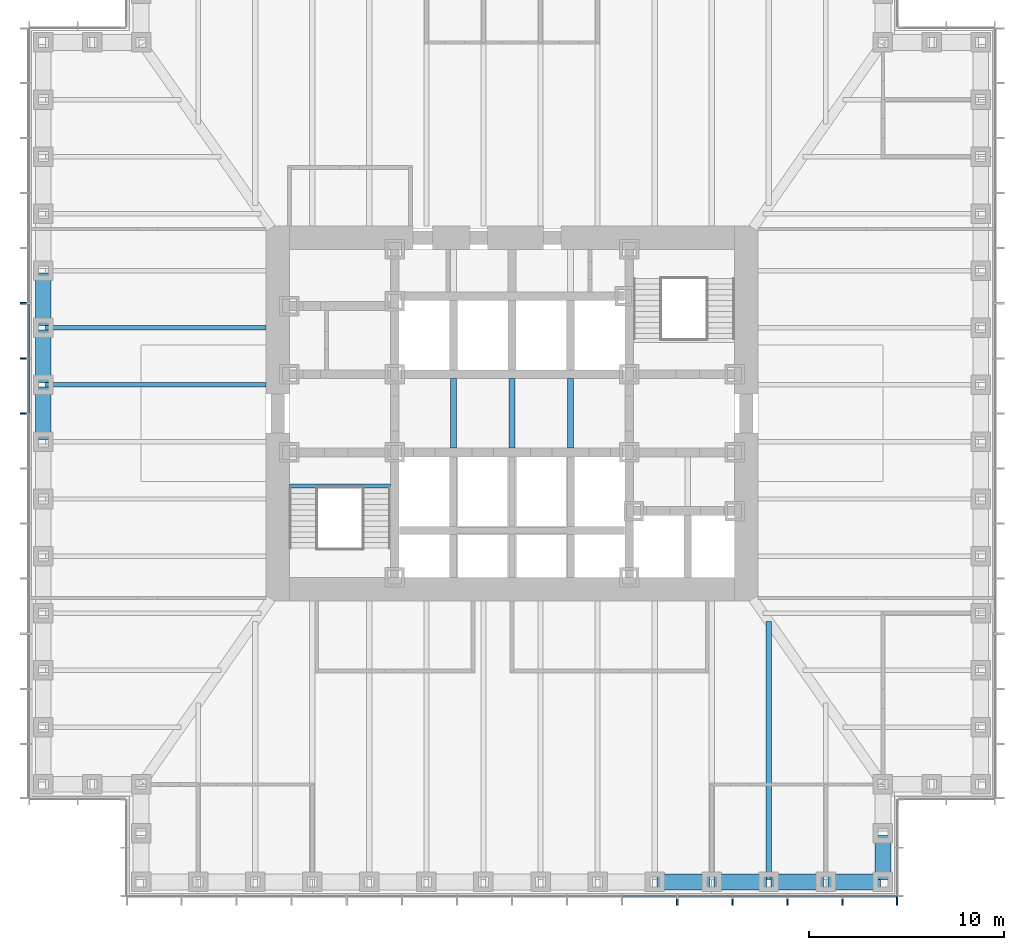
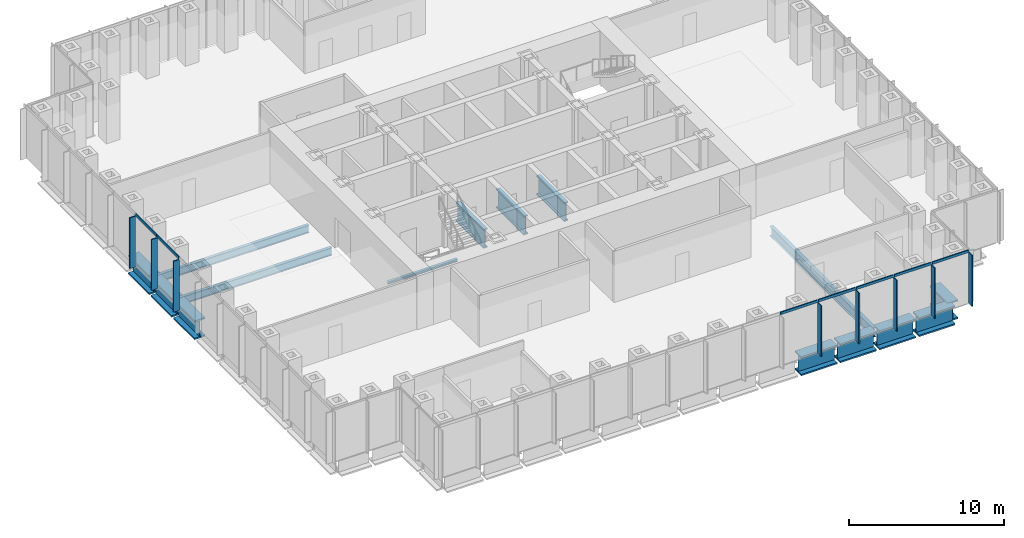
# One storey, part 3 of 16: 15 beams, 15 members, 2 elements without a shape of their own.
"""IFC4 building model written with IfcOpenShell, lengths in metres."""

import ifcopenshell
import ifcopenshell.guid

model = None  # the IFC model being written
_history = None  # IfcOwnerHistory: only IFC2X3 demands one
_inside = {}  # id of a spatial element -> (the spatial element, [elements in it])
_under = {}  # id of a project, library or spatial element -> (it, [spatial elements below it])
_declared = {}  # id of a project -> (the project, [libraries it declares])
_typed = {}  # id of a type object -> (the type object, [elements of that type])
_made_of = {}  # id of a material, layer set ... -> (it, [elements and type objects made of it])


def new_model(schema):
    """Start an empty IFC model of exactly this schema.

    Asked for "IFC4X3", IfcOpenShell would pick the latest addendum, in which some entities
    have other attributes; the version numbers below select the first issue.
    IFC2X3 requires an IfcOwnerHistory on every rooted entity: one is made here for all.
    """
    global model, _history
    if schema == "IFC4X3":
        model = ifcopenshell.file(schema_version=(4, 3, 0, 0))
    else:
        model = ifcopenshell.file(schema=schema)
    _inside.clear()
    _under.clear()
    _declared.clear()
    _typed.clear()
    _made_of.clear()
    _history = None
    if model.schema == "IFC2X3":
        org = make("IfcOrganization", Name="unknown")
        user = make(
            "IfcPersonAndOrganization",
            ThePerson=make("IfcPerson", FamilyName="unknown"),
            TheOrganization=org,
        )
        app = make(
            "IfcApplication",
            ApplicationDeveloper=org,
            Version="unknown",
            ApplicationFullName="unknown",
            ApplicationIdentifier="unknown",
        )
        _history = make(
            "IfcOwnerHistory",
            OwningUser=user,
            OwningApplication=app,
            ChangeAction="ADDED",
            CreationDate=0,
        )
    return model


def make(cls, **values):
    """One entity of the class cls with the attributes given. An attribute that is None is left unset."""
    return model.create_entity(
        cls, **{name: value for name, value in values.items() if value is not None}
    )


def rooted(cls, **values):
    """An entity with a GlobalId (a new one), such as an element, a storey or a relation."""
    return make(cls, GlobalId=ifcopenshell.guid.new(), OwnerHistory=_history, **values)


def si_unit(unit_type, name, prefix=None):
    """IfcSIUnit, for example si_unit("LENGTHUNIT", "METRE", prefix="MILLI")."""
    return make("IfcSIUnit", UnitType=unit_type, Prefix=prefix, Name=name)


def assignment(units):
    """IfcUnitAssignment: the units of a project."""
    return None if units is None else make("IfcUnitAssignment", Units=units)


def point(xyz):
    """IfcCartesianPoint."""
    return None if xyz is None else make("IfcCartesianPoint", Coordinates=xyz)


def direction(xyz):
    """IfcDirection."""
    return None if xyz is None else make("IfcDirection", DirectionRatios=xyz)


def frame(location, z_axis=None, x_axis=None):
    """IfcAxis2Placement3D, a coordinate frame: its origin and axes. An axis left out is left unset."""
    return make(
        "IfcAxis2Placement3D",
        Location=point(location),
        Axis=direction(z_axis),
        RefDirection=direction(x_axis),
    )


def frame_2d(location, x_axis=None):
    """IfcAxis2Placement2D, a coordinate frame in the plane: its origin and x axis."""
    return make(
        "IfcAxis2Placement2D", Location=point(location), RefDirection=direction(x_axis)
    )


def origin():
    """The frame at (0, 0, 0) with its axes left unset."""
    return frame((0.0, 0.0, 0.0))


def origin_2d():
    """The frame at (0, 0) in the plane with its x axis left unset."""
    return frame_2d((0.0, 0.0))


def place(relative_to, where):
    """IfcLocalPlacement: puts the frame where relative to a parent placement (None: the world)."""
    return make(
        "IfcLocalPlacement", PlacementRelTo=relative_to, RelativePlacement=where
    )


def context(
    kind, dimensions, precision=None, world=None, true_north=None, identifier=None
):
    """IfcGeometricRepresentationContext, for example the 3D "Model" context."""
    return make(
        "IfcGeometricRepresentationContext",
        ContextIdentifier=identifier,
        ContextType=kind,
        CoordinateSpaceDimension=dimensions,
        Precision=precision,
        WorldCoordinateSystem=world,
        TrueNorth=true_north,
    )


def subcontext(parent, identifier, kind, view, scale=None):
    """IfcGeometricRepresentationSubContext, for example "Body" below "Model"."""
    return make(
        "IfcGeometricRepresentationSubContext",
        ContextIdentifier=identifier,
        ContextType=kind,
        ParentContext=parent,
        TargetScale=scale,
        TargetView=view,
    )


def project(units=None, contexts=None):
    """IfcProject with its units and contexts."""
    return rooted(
        "IfcProject",
        Name="project",
        RepresentationContexts=contexts,
        UnitsInContext=assignment(units),
    )


def spatial(cls, under=None, at=None, **own):
    """A site, building, storey or space (cls), placed at a placement, below another one or the project."""
    s = rooted(cls, ObjectPlacement=at, **own)
    if under is not None:
        _under.setdefault(under.id(), (under, []))[1].append(s)
    return s


def profile(cls, at=None, kind="AREA", **sizes):
    """A parametric profile (cls). Its sizes go by their IFC names, for example OverallWidth=200.0."""
    return make(cls, ProfileType=kind, Position=at, **sizes)


def rectangle(**sizes):
    """IfcRectangleProfileDef."""
    return profile("IfcRectangleProfileDef", **sizes)


def i_section(**sizes):
    """IfcIShapeProfileDef."""
    return profile("IfcIShapeProfileDef", **sizes)


def extrude(swept, where, along, depth):
    """IfcExtrudedAreaSolid: the profile swept, set in the frame where, extruded along a direction by depth."""
    return make(
        "IfcExtrudedAreaSolid",
        SweptArea=swept,
        Position=where,
        ExtrudedDirection=direction(along),
        Depth=depth,
    )


def shape(context_of_items, identifier, shape_type, items):
    """IfcShapeRepresentation: the items that make up one representation, for example the "Body"."""
    return make(
        "IfcShapeRepresentation",
        ContextOfItems=context_of_items,
        RepresentationIdentifier=identifier,
        RepresentationType=shape_type,
        Items=items,
    )


def material(Name=None, Category=None):
    """IfcMaterial."""
    return make("IfcMaterial", Name=Name, Category=Category)


def material_profile(
    of_material, cross_section, Name=None, Category=None, Priority=None
):
    """IfcMaterialProfile: a cross section and its material."""
    return make(
        "IfcMaterialProfile",
        Name=Name,
        Material=of_material,
        Profile=cross_section,
        Priority=Priority,
        Category=Category,
    )


def profile_set(profiles, Name=None, composite=None):
    """IfcMaterialProfileSet."""
    return make(
        "IfcMaterialProfileSet",
        Name=Name,
        MaterialProfiles=profiles,
        CompositeProfile=composite,
    )


def made_of(thing, what):
    """Note that an element or type object is made of a material, layer set ...; save() writes the relation."""
    if what is not None:
        _made_of.setdefault(what.id(), (what, []))[1].append(thing)
    return thing


def type_object(cls, material=None, **own):
    """A type object (cls), such as IfcWallType, which elements share."""
    return made_of(rooted(cls, **own), material)


def element(
    cls,
    number,
    at=None,
    inside=None,
    cuts=None,
    type_object=None,
    material=None,
    context=None,
    identifier="Body",
    shape_type=None,
    held_by="IfcProductDefinitionShape",
    body=None,
    shapes=None,
    **own,
):
    """One element of the class cls, such as IfcWall. Its Tag is "e" and its number.

    at: its placement. inside: the storey or other place that contains it. cuts: it is an
    opening in that element (IfcRelVoidsElement). A single representation is given by context,
    identifier, shape_type and body (its items); several are given by shapes. held_by: the class
    of the entity that holds the representations. save() writes the other relations.
    """
    e = rooted(cls, Tag="e%d" % number, ObjectPlacement=at, **own)
    if body is not None:
        shapes = [shape(context, identifier, shape_type, body)]
    if shapes is not None:
        e.Representation = make(held_by, Representations=shapes)
    if inside is not None:
        _inside.setdefault(inside.id(), (inside, []))[1].append(e)
    if cuts is not None:
        rooted(
            "IfcRelVoidsElement", RelatingBuildingElement=cuts, RelatedOpeningElement=e
        )
    if type_object is not None:
        _typed.setdefault(type_object.id(), (type_object, []))[1].append(e)
    return made_of(e, material)


def aggregate(whole, parts):
    """IfcRelAggregates: a whole, such as a stair, and the parts it consists of."""
    return rooted("IfcRelAggregates", RelatingObject=whole, RelatedObjects=parts)


def save(model, path):
    """Write the relations noted so far, then the file.

    IfcRelAggregates (storeys below a building ...), IfcRelContainedInSpatialStructure (elements
    in a storey), IfcRelDefinesByType, IfcRelAssociatesMaterial and IfcRelDeclares: one each for
    every whole, place, type object, material and project.
    """
    for whole, parts in _under.values():
        aggregate(whole, parts)
    for where, things in _inside.values():
        rooted(
            "IfcRelContainedInSpatialStructure",
            RelatedElements=things,
            RelatingStructure=where,
        )
    for kind, things in _typed.values():
        rooted("IfcRelDefinesByType", RelatedObjects=things, RelatingType=kind)
    for what, things in _made_of.values():
        rooted("IfcRelAssociatesMaterial", RelatedObjects=things, RelatingMaterial=what)
    for by, libraries in _declared.values():
        rooted("IfcRelDeclares", RelatingContext=by, RelatedDefinitions=libraries)
    model.write(path)


model = new_model("IFC4")

# Units and contexts
model_context = context("Model", 3, precision=1e-05, world=origin(), true_north=direction((0.0, 1.0)))
body_context = subcontext(model_context, "Body", "Model", "MODEL_VIEW")
ifc_project = project(units=[si_unit("LENGTHUNIT", "METRE"), si_unit("AREAUNIT", "SQUARE_METRE"), si_unit("VOLUMEUNIT", "CUBIC_METRE"), si_unit("PLANEANGLEUNIT", "RADIAN"), si_unit("MASSUNIT", "GRAM", prefix="KILO")], contexts=[model_context])

# Site, building, storey
site_placement = place(None, origin())
site = spatial("IfcSite", under=ifc_project, at=site_placement, CompositionType="ELEMENT")
building_placement = place(site_placement, origin())
building = spatial("IfcBuilding", under=site, at=building_placement, Name="Daluyong Arena Tower", CompositionType="ELEMENT")
storey_placement = place(building_placement, frame((0.0, 0.0, 47.5)))
storey = spatial("IfcBuildingStorey", under=building, at=storey_placement, Name="L09", CompositionType="ELEMENT", Elevation=47.5)

# Curtain wall, members
ifc_material_1 = material(Name="Bronze anodised aluminium and glass", Category="aluminium")
curtain_wall_type = type_object("IfcCurtainWallType", Name="Curtain wall CW1", PredefinedType="USERDEFINED", material=ifc_material_1)
curtain_wall_1_placement = place(storey_placement, origin())
curtain_wall_1 = element("IfcCurtainWall", 1, at=curtain_wall_1_placement, inside=storey, type_object=curtain_wall_type, Name="curtain wall L09 S", ObjectType="UNITISED CURTAIN WALL", PredefinedType="USERDEFINED")
ifc_material_2 = material(Name="Bronze anodised aluminium fin", Category="aluminium")
ifc_material_profile_1 = material_profile(ifc_material_2, rectangle(XDim=0.449951171875, YDim=0.080078125, at=origin_2d()))
ifc_profile_set_1 = profile_set([ifc_material_profile_1], Name="Bronze anodised aluminium fin")
member_type_1 = type_object("IfcMemberType", Name="CW1 bronze fin 450x80", PredefinedType="MULLION", material=ifc_profile_set_1)
member_1_placement = place(storey_placement, frame((64.46435546875, 55.02490234375, 0.0), z_axis=(0.0, 0.0, 1.0), x_axis=(0.0, 1.0, 0.0)))
member_1 = element("IfcMember", 2, at=member_1_placement, type_object=member_type_1, Name="curtain wall L09 S fin 11", PredefinedType="MULLION", context=body_context, shape_type="SweptSolid", body=[
    extrude(rectangle(XDim=0.449951171875, YDim=0.080078125, at=origin_2d()), origin(), (0.0, 0.0, 1.0), 4.0),
])
member_2_placement = place(storey_placement, frame((67.28564453125, 55.02490234375, 0.0), z_axis=(0.0, 0.0, 1.0), x_axis=(0.0, 1.0, 0.0)))
member_2 = element("IfcMember", 3, at=member_2_placement, type_object=member_type_1, Name="curtain wall L09 S fin 12", PredefinedType="MULLION", context=body_context, shape_type="SweptSolid", body=[
    extrude(rectangle(XDim=0.449951171875, YDim=0.080078125, at=origin_2d()), origin(), (0.0, 0.0, 1.0), 4.0),
])
member_3_placement = place(storey_placement, frame((70.107177734375, 55.02490234375, 0.0), z_axis=(0.0, 0.0, 1.0), x_axis=(0.0, 1.0, 0.0)))
member_3 = element("IfcMember", 4, at=member_3_placement, type_object=member_type_1, Name="curtain wall L09 S fin 13", PredefinedType="MULLION", context=body_context, shape_type="SweptSolid", body=[
    extrude(rectangle(XDim=0.449951171875, YDim=0.080078125, at=origin_2d()), origin(), (0.0, 0.0, 1.0), 4.0),
])
member_4_placement = place(storey_placement, frame((72.928466796875, 55.02490234375, 0.0), z_axis=(0.0, 0.0, 1.0), x_axis=(0.0, 1.0, 0.0)))
member_4 = element("IfcMember", 5, at=member_4_placement, type_object=member_type_1, Name="curtain wall L09 S fin 14", PredefinedType="MULLION", context=body_context, shape_type="SweptSolid", body=[
    extrude(rectangle(XDim=0.449951171875, YDim=0.080078125, at=origin_2d()), origin(), (0.0, 0.0, 1.0), 4.0),
])
member_5_placement = place(storey_placement, frame((75.7099609375, 55.02490234375, 0.0), z_axis=(0.0, 0.0, 1.0), x_axis=(0.0, 1.0, 0.0)))
member_5 = element("IfcMember", 6, at=member_5_placement, type_object=member_type_1, Name="curtain wall L09 S fin 15", PredefinedType="MULLION", context=body_context, shape_type="SweptSolid", body=[
    extrude(rectangle(XDim=0.449951171875, YDim=0.080078125, at=origin_2d()), origin(), (0.0, 0.0, 1.0), 4.0),
])

curtain_wall_2_placement = place(storey_placement, origin())
curtain_wall_2 = element("IfcCurtainWall", 7, at=curtain_wall_2_placement, inside=storey, type_object=curtain_wall_type, Name="curtain wall L09 W", ObjectType="UNITISED CURTAIN WALL", PredefinedType="USERDEFINED")
member_6_placement = place(storey_placement, frame((31.02490234375, 85.642822265625, 0.0), z_axis=(0.0, 0.0, 1.0), x_axis=(1.0, 0.0, 0.0)))
member_6 = element("IfcMember", 8, at=member_6_placement, type_object=member_type_1, Name="curtain wall L09 W fin 6", PredefinedType="MULLION", context=body_context, shape_type="SweptSolid", body=[
    extrude(rectangle(XDim=0.449951171875, YDim=0.080078125, at=origin_2d()), origin(), (0.0, 0.0, 1.0), 4.0),
])
member_7_placement = place(storey_placement, frame((31.02490234375, 82.821533203125, 0.0), z_axis=(0.0, 0.0, 1.0), x_axis=(1.0, 0.0, 0.0)))
member_7 = element("IfcMember", 9, at=member_7_placement, type_object=member_type_1, Name="curtain wall L09 W fin 7", PredefinedType="MULLION", context=body_context, shape_type="SweptSolid", body=[
    extrude(rectangle(XDim=0.449951171875, YDim=0.080078125, at=origin_2d()), origin(), (0.0, 0.0, 1.0), 4.0),
])
member_8_placement = place(storey_placement, frame((31.02490234375, 80.0, 0.0), z_axis=(0.0, 0.0, 1.0), x_axis=(1.0, 0.0, 0.0)))
member_8 = element("IfcMember", 10, at=member_8_placement, type_object=member_type_1, Name="curtain wall L09 W fin 8", PredefinedType="MULLION", context=body_context, shape_type="SweptSolid", body=[
    extrude(rectangle(XDim=0.449951171875, YDim=0.080078125, at=origin_2d()), origin(), (0.0, 0.0, 1.0), 4.0),
])

# Member
ifc_material_3 = material(Name="Bronze anodised aluminium", Category="aluminium")
ifc_material_profile_2 = material_profile(ifc_material_3, rectangle(XDim=0.080078125, YDim=0.199951171875, at=origin_2d()))
ifc_profile_set_2 = profile_set([ifc_material_profile_2], Name="Bronze anodised aluminium")
member_type_2 = type_object("IfcMemberType", Name="CW1 stack transom 200x80", PredefinedType="USERDEFINED", material=ifc_profile_set_2)
member_9_placement = place(storey_placement, frame((61.682861328125, 55.25, 4.10009765625), z_axis=(1.0, 0.0, 0.0), x_axis=(0.0, 1.0, 0.0)))
member_9 = element("IfcMember", 11, at=member_9_placement, type_object=member_type_2, Name="curtain wall L09 S transom 10", ObjectType="TRANSOM", PredefinedType="USERDEFINED", context=body_context, shape_type="SweptSolid", body=[
    extrude(rectangle(XDim=0.080078125, YDim=0.199951171875, at=origin_2d()), origin(), (0.0, 0.0, 1.0), 2.741455078125),
])

member_10_placement = place(storey_placement, frame((64.50439453125, 55.25, 4.10009765625), z_axis=(1.0, 0.0, 0.0), x_axis=(0.0, 1.0, 0.0)))
member_10 = element("IfcMember", 12, at=member_10_placement, type_object=member_type_2, Name="curtain wall L09 S transom 11", ObjectType="TRANSOM", PredefinedType="USERDEFINED", context=body_context, shape_type="SweptSolid", body=[
    extrude(rectangle(XDim=0.080078125, YDim=0.199951171875, at=origin_2d()), origin(), (0.0, 0.0, 1.0), 2.7412109375),
])

member_11_placement = place(storey_placement, frame((67.32568359375, 55.25, 4.10009765625), z_axis=(1.0, 0.0, 0.0), x_axis=(0.0, 1.0, 0.0)))
member_11 = element("IfcMember", 13, at=member_11_placement, type_object=member_type_2, Name="curtain wall L09 S transom 12", ObjectType="TRANSOM", PredefinedType="USERDEFINED", context=body_context, shape_type="SweptSolid", body=[
    extrude(rectangle(XDim=0.080078125, YDim=0.199951171875, at=origin_2d()), origin(), (0.0, 0.0, 1.0), 2.741455078125),
])

member_12_placement = place(storey_placement, frame((70.147216796875, 55.25, 4.10009765625), z_axis=(1.0, 0.0, 0.0), x_axis=(0.0, 1.0, 0.0)))
member_12 = element("IfcMember", 14, at=member_12_placement, type_object=member_type_2, Name="curtain wall L09 S transom 13", ObjectType="TRANSOM", PredefinedType="USERDEFINED", context=body_context, shape_type="SweptSolid", body=[
    extrude(rectangle(XDim=0.080078125, YDim=0.199951171875, at=origin_2d()), origin(), (0.0, 0.0, 1.0), 2.741455078125),
])

member_13_placement = place(storey_placement, frame((72.968505859375, 55.25, 4.10009765625), z_axis=(1.0, 0.0, 0.0), x_axis=(0.0, 1.0, 0.0)))
member_13 = element("IfcMember", 15, at=member_13_placement, type_object=member_type_2, Name="curtain wall L09 S transom 14", ObjectType="TRANSOM", PredefinedType="USERDEFINED", context=body_context, shape_type="SweptSolid", body=[
    extrude(rectangle(XDim=0.080078125, YDim=0.199951171875, at=origin_2d()), origin(), (0.0, 0.0, 1.0), 2.701416015625),
])

aggregate(curtain_wall_1, [member_1, member_2, member_3, member_4, member_5, member_9, member_10, member_11, member_12, member_13])

member_14_placement = place(storey_placement, frame((31.25, 85.602783203125, 4.10009765625), z_axis=(0.0, -1.0, 0.0), x_axis=(1.0, 0.0, 0.0)))
member_14 = element("IfcMember", 16, at=member_14_placement, type_object=member_type_2, Name="curtain wall L09 W transom 6", ObjectType="TRANSOM", PredefinedType="USERDEFINED", context=body_context, shape_type="SweptSolid", body=[
    extrude(rectangle(XDim=0.080078125, YDim=0.199951171875, at=origin_2d()), origin(), (0.0, 0.0, 1.0), 2.741455078125),
])

member_15_placement = place(storey_placement, frame((31.25, 82.781494140625, 4.10009765625), z_axis=(0.0, -1.0, 0.0), x_axis=(1.0, 0.0, 0.0)))
member_15 = element("IfcMember", 17, at=member_15_placement, type_object=member_type_2, Name="curtain wall L09 W transom 7", ObjectType="TRANSOM", PredefinedType="USERDEFINED", context=body_context, shape_type="SweptSolid", body=[
    extrude(rectangle(XDim=0.080078125, YDim=0.199951171875, at=origin_2d()), origin(), (0.0, 0.0, 1.0), 2.741455078125),
])

aggregate(curtain_wall_2, [member_6, member_7, member_8, member_14, member_15])

# Beams
ifc_material_4 = material(Name="Steel ASTM A992 Grade 50", Category="steel")
ifc_material_profile_3 = material_profile(ifc_material_4, i_section(OverallWidth=0.22900390625, OverallDepth=0.612060546875, WebThickness=0.011962890625, FlangeThickness=0.01953125, at=origin_2d()))
ifc_profile_set_3 = profile_set([ifc_material_profile_3], Name="Steel ASTM A992 Grade 50")
beam_type_1 = type_object("IfcBeamType", Name="Floor beam W24X84", PredefinedType="BEAM", material=ifc_profile_set_3)
for number, where, z_axis, x_axis, name in (
    (18, (32.114990234375, 84.384521484375, -0.466064453125), (1.0, 0.0, 0.0), (0.0, 1.0, 0.0), "floor beam FB3"),
    (19, (32.114990234375, 81.46142578125, -0.466064453125), (1.0, 0.0, 0.0), (0.0, 1.0, 0.0), "floor beam FB3"),
):
    element("IfcBeam", number, at=place(storey_placement, frame(where, z_axis=z_axis, x_axis=x_axis)), inside=storey, type_object=beam_type_1, Name=name, PredefinedType="BEAM", context=body_context, shape_type="SweptSolid", body=[
        extrude(i_section(OverallWidth=0.22900390625, OverallDepth=0.612060546875, WebThickness=0.011962890625, FlangeThickness=0.01953125, at=origin_2d()), origin(), (0.0, 0.0, 1.0), 11.284912109375),
    ])
ifc_material_5 = material(Name="Steel ASTM A992 Grade 50", Category="steel")
ifc_material_profile_4 = material_profile(ifc_material_5, i_section(OverallWidth=0.2666015625, OverallDepth=0.761962890625, WebThickness=0.014404296875, FlangeThickness=0.021484375, at=origin_2d()))
ifc_profile_set_4 = profile_set([ifc_material_profile_4], Name="Steel ASTM A992 Grade 50")
beam_type_2 = type_object("IfcBeamType", Name="Floor beam W30X116", PredefinedType="BEAM", material=ifc_profile_set_4)
beam_1_placement = place(storey_placement, frame((69.15380859375, 56.114990234375, -0.541015625), z_axis=(0.0, 1.0, 0.0), x_axis=(-1.0, 0.0, 0.0)))
element("IfcBeam", 20, at=beam_1_placement, inside=storey, type_object=beam_type_2, Name="floor beam FB4", PredefinedType="BEAM", context=body_context, shape_type="SweptSolid", body=[
    extrude(i_section(OverallWidth=0.2666015625, OverallDepth=0.761962890625, WebThickness=0.014404296875, FlangeThickness=0.021484375, at=origin_2d()), origin(), (0.0, 0.0, 1.0), 13.236572265625),
])
ifc_material_6 = material(Name="Steel ASTM A572 Grade 50", Category="steel")
ifc_material_profile_5 = material_profile(ifc_material_6, i_section(OverallWidth=0.300048828125, OverallDepth=1.5, WebThickness=0.04, FlangeThickness=0.1, at=origin_2d()))
ifc_profile_set_5 = profile_set([ifc_material_profile_5], Name="Steel ASTM A572 Grade 50")
beam_type_3 = type_object("IfcBeamType", Name="Lift divider beam PG1500X300", PredefinedType="BEAM", material=ifc_profile_set_5)
for number, where, z_axis, x_axis, name in (
    (21, (53.0, 78.22509765625, -0.909912109375), (0.0, 1.0, 0.0), (-1.0, 0.0, 0.0), "lift divider beam DB2"),
    (22, (56.0, 78.22509765625, -0.909912109375), (0.0, 1.0, 0.0), (-1.0, 0.0, 0.0), "lift divider beam DB2"),
    (23, (59.0, 78.22509765625, -0.909912109375), (0.0, 1.0, 0.0), (-1.0, 0.0, 0.0), "lift divider beam DB2"),
):
    element("IfcBeam", number, at=place(storey_placement, frame(where, z_axis=z_axis, x_axis=x_axis)), inside=storey, type_object=beam_type_3, Name=name, PredefinedType="BEAM", context=body_context, shape_type="SweptSolid", body=[
        extrude(i_section(OverallWidth=0.300048828125, OverallDepth=1.5, WebThickness=0.04, FlangeThickness=0.1, at=origin_2d()), origin(), (0.0, 0.0, 1.0), 3.5498046875),
    ])
ifc_material_7 = material(Name="Steel ASTM A588 Grade 50", Category="steel")
ifc_material_profile_6 = material_profile(ifc_material_7, i_section(OverallWidth=0.800048828125, OverallDepth=1.5, WebThickness=0.05, FlangeThickness=0.12, at=origin_2d()))
ifc_profile_set_6 = profile_set([ifc_material_profile_6], Name="Steel ASTM A588 Grade 50")
beam_type_4 = type_object("IfcBeamType", Name="Spandrel Z1 PG1500X800", PredefinedType="SPANDREL", material=ifc_profile_set_6)
for number, where, z_axis, x_axis, name in (
    (24, (63.422607421875, 56.0, -0.909912109375), (1.0, 0.0, 0.0), (0.0, 1.0, 0.0), "spandrel z1 SB3"),
    (25, (66.345703125, 56.0, -0.909912109375), (1.0, 0.0, 0.0), (0.0, 1.0, 0.0), "spandrel z1 SB3"),
    (26, (69.268798828125, 56.0, -0.909912109375), (1.0, 0.0, 0.0), (0.0, 1.0, 0.0), "spandrel z1 SB3"),
    (27, (72.19189453125, 56.0, -0.909912109375), (1.0, 0.0, 0.0), (0.0, 1.0, 0.0), "spandrel z1 SB3"),
):
    element("IfcBeam", number, at=place(storey_placement, frame(where, z_axis=z_axis, x_axis=x_axis)), inside=storey, type_object=beam_type_4, Name=name, PredefinedType="SPANDREL", context=body_context, shape_type="SweptSolid", body=[
        extrude(i_section(OverallWidth=0.800048828125, OverallDepth=1.5, WebThickness=0.05, FlangeThickness=0.12, at=origin_2d()), origin(), (0.0, 0.0, 1.0), 2.693115234375),
    ])
beam_2_placement = place(storey_placement, frame((75.0, 56.114990234375, -0.909912109375), z_axis=(0.0, 1.0, 0.0), x_axis=(-1.0, 0.0, 0.0)))
element("IfcBeam", 28, at=beam_2_placement, inside=storey, type_object=beam_type_4, Name="spandrel z1 SB3", PredefinedType="SPANDREL", context=body_context, shape_type="SweptSolid", body=[
    extrude(i_section(OverallWidth=0.800048828125, OverallDepth=1.5, WebThickness=0.05, FlangeThickness=0.12, at=origin_2d()), origin(), (0.0, 0.0, 1.0), 2.27001953125),
])
for number, where, z_axis, x_axis, name in (
    (29, (32.0, 87.192626953125, -0.909912109375), (0.0, -1.0, 0.0), (1.0, 0.0, 0.0), "spandrel z1 SB3"),
    (30, (32.0, 84.26953125, -0.909912109375), (0.0, -1.0, 0.0), (1.0, 0.0, 0.0), "spandrel z1 SB3"),
):
    element("IfcBeam", number, at=place(storey_placement, frame(where, z_axis=z_axis, x_axis=x_axis)), inside=storey, type_object=beam_type_4, Name=name, PredefinedType="SPANDREL", context=body_context, shape_type="SweptSolid", body=[
        extrude(i_section(OverallWidth=0.800048828125, OverallDepth=1.5, WebThickness=0.05, FlangeThickness=0.12, at=origin_2d()), origin(), (0.0, 0.0, 1.0), 2.693115234375),
    ])
beam_3_placement = place(storey_placement, frame((32.0, 81.346435546875, -0.909912109375), z_axis=(0.0, -1.0, 0.0), x_axis=(1.0, 0.0, 0.0)))
element("IfcBeam", 31, at=beam_3_placement, inside=storey, type_object=beam_type_4, Name="spandrel z1 SB3", PredefinedType="SPANDREL", context=body_context, shape_type="SweptSolid", body=[
    extrude(i_section(OverallWidth=0.800048828125, OverallDepth=1.5, WebThickness=0.05, FlangeThickness=0.12, at=origin_2d()), origin(), (0.0, 0.0, 1.0), 2.69287109375),
])
ifc_material_8 = material(Name="Steel ASTM A992 Grade 50", Category="steel")
ifc_material_profile_7 = material_profile(ifc_material_8, i_section(OverallWidth=0.203125, OverallDepth=0.203125, WebThickness=0.00732421875, FlangeThickness=0.010986328125, at=origin_2d()))
ifc_profile_set_7 = profile_set([ifc_material_profile_7], Name="Steel ASTM A992 Grade 50")
beam_type_5 = type_object("IfcBeamType", Name="Stair landing beam W8X31", PredefinedType="BEAM", material=ifc_profile_set_7)
beam_4_placement = place(storey_placement, frame((44.60009765625, 76.276611328125, -0.26171875), z_axis=(1.0, 0.0, 0.0), x_axis=(0.0, 1.0, 0.0)))
element("IfcBeam", 32, at=beam_4_placement, inside=storey, type_object=beam_type_5, Name="exit stair A landing beam", PredefinedType="BEAM", context=body_context, shape_type="SweptSolid", body=[
    extrude(i_section(OverallWidth=0.203125, OverallDepth=0.203125, WebThickness=0.00732421875, FlangeThickness=0.010986328125, at=origin_2d()), origin(), (0.0, 0.0, 1.0), 5.1748046875),
])

save(model, "model.ifc")
